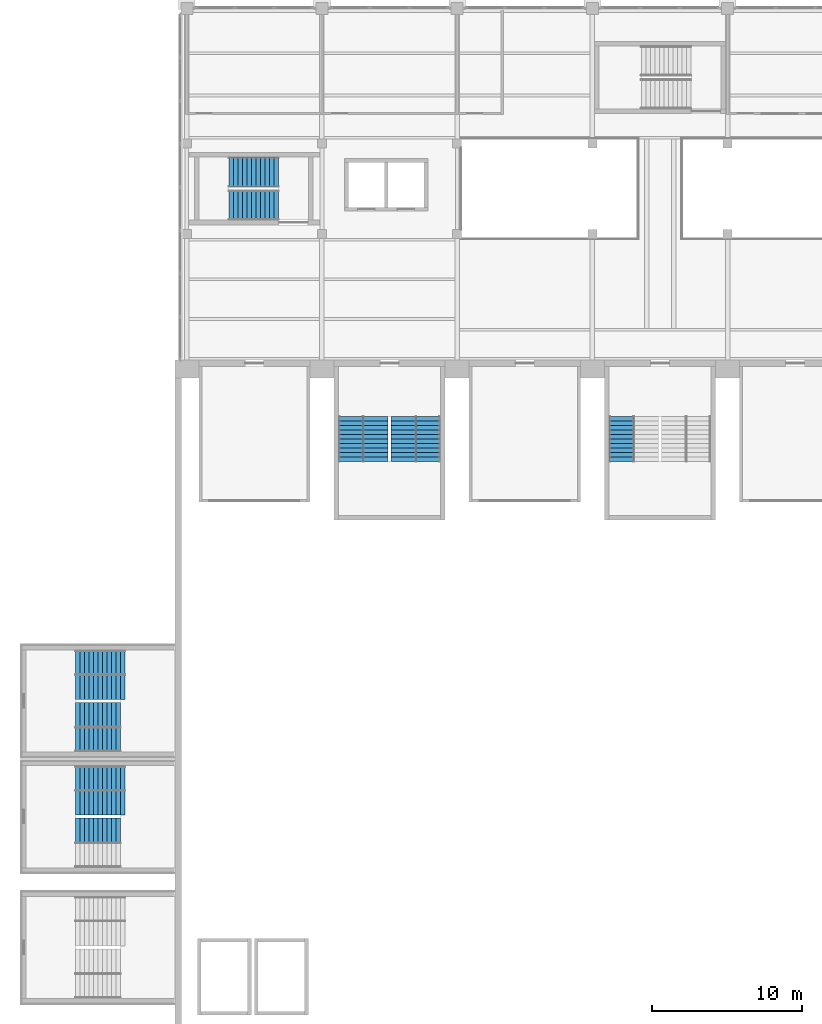
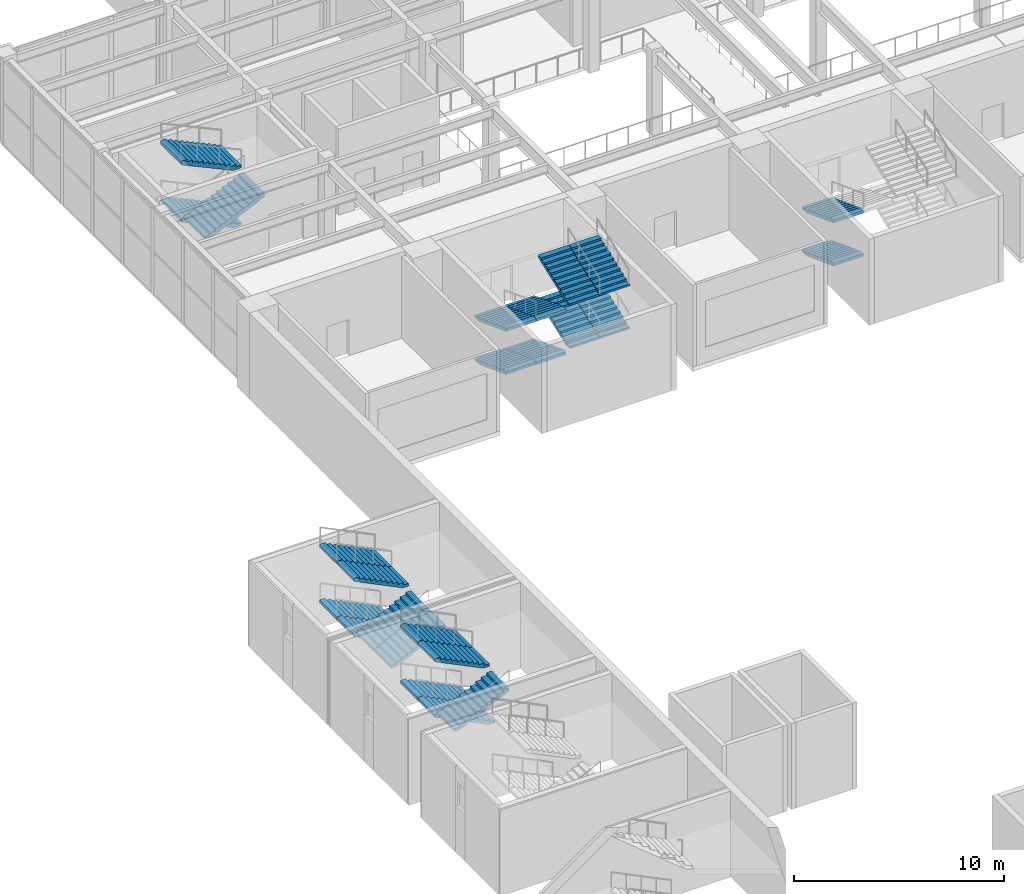
# One storey, part 49 of 67: 24 stair flights, 8 elements without a shape of their own.
"""IFC4 building model written with IfcOpenShell, lengths in metres."""

from ifc_helpers import new_model, si_unit, direction, frame, origin, place, context, subcontext, project, spatial, polyline, outline, extrude, material, type_object, element, aggregate, save


model = new_model("IFC4")

# Units and contexts
model_context = context("Model", 3, precision=1e-05, world=origin(), true_north=direction((0.0, 1.0)))
body_context = subcontext(model_context, "Body", "Model", "MODEL_VIEW")
ifc_project = project(units=[si_unit("LENGTHUNIT", "METRE"), si_unit("AREAUNIT", "SQUARE_METRE"), si_unit("VOLUMEUNIT", "CUBIC_METRE"), si_unit("PLANEANGLEUNIT", "RADIAN"), si_unit("MASSUNIT", "GRAM", prefix="KILO")], contexts=[model_context])

# Site, building, storey
site_placement = place(None, origin())
site = spatial("IfcSite", under=ifc_project, at=site_placement, CompositionType="ELEMENT")
building_placement = place(site_placement, origin())
building = spatial("IfcBuilding", under=site, at=building_placement, Name="Aravalli Gate Trade Fair Centre", CompositionType="ELEMENT")
storey_placement = place(building_placement, frame((0.0, 0.0, 5.0)))
storey = spatial("IfcBuildingStorey", under=building, at=storey_placement, Name="L01", CompositionType="ELEMENT", Elevation=5.0)

# Stair, stair flights
ifc_material_1 = material(Name="Concrete M30", Category="concrete")
stair_type_1 = type_object("IfcStairType", Name="Concourse stair, 2000 wide", PredefinedType="HALF_TURN_STAIR", material=ifc_material_1)
stair_1_placement = place(storey_placement, origin())
stair_1 = element("IfcStair", 1, at=stair_1_placement, inside=storey, type_object=stair_type_1, Name="Stair WS L01", PredefinedType="HALF_TURN_STAIR")
stair_flight_type_1 = type_object("IfcStairFlightType", Name="Concourse stair flight 2000", PredefinedType="STRAIGHT", material=ifc_material_1)
stair_flight_1_placement = place(storey_placement, frame((12.10009765625, 122.10009765625, 0.0), z_axis=(0.0, 0.0, 1.0), x_axis=(-1.0, 0.0, 0.0)))
stair_flight_1 = element("IfcStairFlight", 2, at=stair_flight_1_placement, type_object=stair_flight_type_1, Name="STWS-L01 flight 1", NumberOfRisers=12, NumberOfTreads=11, PredefinedType="STRAIGHT", RiserHeight=0.138888889, TreadLength=0.3, context=body_context, shape_type="SweptSolid", body=[
    extrude(outline(polyline([(0.0, 0.0), (0.0, 0.138916015625), (0.300048828125, 0.138916015625), (0.300048828125, 0.27783203125), (0.60009765625, 0.27783203125), (0.60009765625, 0.416748046875), (0.89990234375, 0.416748046875), (0.89990234375, 0.5556640625), (1.199951171875, 0.5556640625), (1.199951171875, 0.6943359375), (1.5, 0.6943359375), (1.5, 0.833251953125), (1.800048828125, 0.833251953125), (1.800048828125, 0.97216796875), (2.10009765625, 0.97216796875), (2.10009765625, 1.111083984375), (2.39990234375, 1.111083984375), (2.39990234375, 1.25), (2.699951171875, 1.25), (2.699951171875, 1.388916015625), (3.0, 1.388916015625), (3.0, 1.52783203125), (3.300048828125, 1.52783203125), (3.300048828125, 1.666748046875), (3.300048828125, 1.307373046875), (0.475830078125, 0.0), (0.0, 0.0)])), frame((0.0, 1.0, 0.0), z_axis=(0.0, -1.0, 0.0), x_axis=(1.0, 0.0, 0.0)), (0.0, 0.0, 1.0), 2.0),
])
stair_flight_2_placement = place(storey_placement, frame((8.800048828125, 119.89990234375, 1.666748046875), z_axis=(0.0, 0.0, 1.0), x_axis=(1.0, 0.0, 0.0)))
stair_flight_2 = element("IfcStairFlight", 3, at=stair_flight_2_placement, type_object=stair_flight_type_1, Name="STWS-L01 flight 2", NumberOfRisers=12, NumberOfTreads=11, PredefinedType="STRAIGHT", RiserHeight=0.138888889, TreadLength=0.3, context=body_context, shape_type="SweptSolid", body=[
    extrude(outline(polyline([(0.0, 0.0), (0.0, 0.138916015625), (0.300048828125, 0.138916015625), (0.300048828125, 0.27783203125), (0.60009765625, 0.27783203125), (0.60009765625, 0.416748046875), (0.89990234375, 0.416748046875), (0.89990234375, 0.5556640625), (1.199951171875, 0.5556640625), (1.199951171875, 0.6943359375), (1.5, 0.6943359375), (1.5, 0.833251953125), (1.800048828125, 0.833251953125), (1.800048828125, 0.97216796875), (2.10009765625, 0.97216796875), (2.10009765625, 1.111083984375), (2.39990234375, 1.111083984375), (2.39990234375, 1.25), (2.699951171875, 1.25), (2.699951171875, 1.388916015625), (3.0, 1.388916015625), (3.0, 1.52783203125), (3.300048828125, 1.52783203125), (3.300048828125, 1.666748046875), (3.300048828125, 1.307373046875), (0.475830078125, 0.0), (0.0, 0.0)])), frame((0.0, 1.0, 0.0), z_axis=(0.0, -1.0, 0.0), x_axis=(1.0, 0.0, 0.0)), (0.0, 0.0, 1.0), 2.0),
])
stair_flight_3_placement = place(storey_placement, frame((12.10009765625, 122.10009765625, 3.333251953125), z_axis=(0.0, 0.0, 1.0), x_axis=(-1.0, 0.0, 0.0)))
stair_flight_3 = element("IfcStairFlight", 4, at=stair_flight_3_placement, type_object=stair_flight_type_1, Name="STWS-L01 flight 3", NumberOfRisers=12, NumberOfTreads=11, PredefinedType="STRAIGHT", RiserHeight=0.138888889, TreadLength=0.3, context=body_context, shape_type="SweptSolid", body=[
    extrude(outline(polyline([(0.0, 0.0), (0.0, 0.138916015625), (0.300048828125, 0.138916015625), (0.300048828125, 0.27783203125), (0.60009765625, 0.27783203125), (0.60009765625, 0.416748046875), (0.89990234375, 0.416748046875), (0.89990234375, 0.5556640625), (1.199951171875, 0.5556640625), (1.199951171875, 0.6943359375), (1.5, 0.6943359375), (1.5, 0.833251953125), (1.800048828125, 0.833251953125), (1.800048828125, 0.97216796875), (2.10009765625, 0.97216796875), (2.10009765625, 1.111083984375), (2.39990234375, 1.111083984375), (2.39990234375, 1.25), (2.699951171875, 1.25), (2.699951171875, 1.388916015625), (3.0, 1.388916015625), (3.0, 1.52783203125), (3.300048828125, 1.52783203125), (3.300048828125, 1.666748046875), (3.300048828125, 1.307373046875), (0.475830078125, 0.0), (0.0, 0.0)])), frame((0.0, 1.0, 0.0), z_axis=(0.0, -1.0, 0.0), x_axis=(1.0, 0.0, 0.0)), (0.0, 0.0, 1.0), 2.0),
])
aggregate(stair_1, [stair_flight_1, stair_flight_2, stair_flight_3])

ifc_material_2 = material(Name="Concrete M40", Category="concrete")
stair_type_2 = type_object("IfcStairType", Name="Hall exit stair, three flights", PredefinedType="HALF_TURN_STAIR", material=ifc_material_2)
stair_2_placement = place(storey_placement, origin())
stair_2 = element("IfcStair", 5, at=stair_2_placement, inside=storey, type_object=stair_type_2, Name="Exit stair ST-W2 lane A L01", PredefinedType="HALF_TURN_STAIR")
stair_flight_type_2 = type_object("IfcStairFlightType", Name="Hall exit stair flight", PredefinedType="STRAIGHT", material=ifc_material_2)
stair_flight_4_placement = place(storey_placement, frame((1.89990234375, 80.1201171875, 0.0), z_axis=(0.0, 0.0, 1.0), x_axis=(-1.0, 0.0, 0.0)))
stair_flight_4 = element("IfcStairFlight", 6, at=stair_flight_4_placement, type_object=stair_flight_type_2, Name="ST-W2A flight 1", NumberOfRisers=12, NumberOfTreads=11, PredefinedType="STRAIGHT", RiserHeight=0.147058824, TreadLength=0.3, context=body_context, shape_type="SweptSolid", body=[
    extrude(outline(polyline([(0.0, 0.0), (0.0, 0.14697265625), (0.300048828125, 0.14697265625), (0.300048828125, 0.294189453125), (0.60009765625, 0.294189453125), (0.60009765625, 0.441162109375), (0.89990234375, 0.441162109375), (0.89990234375, 0.588134765625), (1.199951171875, 0.588134765625), (1.199951171875, 0.7353515625), (1.5, 0.7353515625), (1.5, 0.88232421875), (1.800048828125, 0.88232421875), (1.800048828125, 1.029296875), (2.10009765625, 1.029296875), (2.10009765625, 1.176513671875), (2.39990234375, 1.176513671875), (2.39990234375, 1.323486328125), (2.699951171875, 1.323486328125), (2.699951171875, 1.470703125), (3.0, 1.470703125), (3.0, 1.61767578125), (3.300048828125, 1.61767578125), (3.300048828125, 1.7646484375), (3.300048828125, 1.45068359375), (0.340576171875, 0.0), (0.0, 0.0)])), frame((0.0, 0.81982421875, 0.0), z_axis=(0.0, -1.0, 0.0), x_axis=(1.0, 0.0, 0.0)), (0.0, 0.0, 1.0), 1.639892578125),
])
stair_flight_5_placement = place(storey_placement, frame((1.60009765625, 80.1201171875, 3.38232421875), z_axis=(0.0, 0.0, 1.0), x_axis=(-1.0, 0.0, 0.0)))
stair_flight_5 = element("IfcStairFlight", 7, at=stair_flight_5_placement, type_object=stair_flight_type_2, Name="ST-W2A flight 3", NumberOfRisers=11, NumberOfTreads=10, PredefinedType="STRAIGHT", RiserHeight=0.147058824, TreadLength=0.3, context=body_context, shape_type="SweptSolid", body=[
    extrude(outline(polyline([(0.0, 0.0), (0.0, 0.14697265625), (0.300048828125, 0.14697265625), (0.300048828125, 0.294189453125), (0.60009765625, 0.294189453125), (0.60009765625, 0.441162109375), (0.89990234375, 0.441162109375), (0.89990234375, 0.588134765625), (1.199951171875, 0.588134765625), (1.199951171875, 0.7353515625), (1.5, 0.7353515625), (1.5, 0.88232421875), (1.800048828125, 0.88232421875), (1.800048828125, 1.029296875), (2.10009765625, 1.029296875), (2.10009765625, 1.176513671875), (2.39990234375, 1.176513671875), (2.39990234375, 1.323486328125), (2.699951171875, 1.323486328125), (2.699951171875, 1.470703125), (3.0, 1.470703125), (3.0, 1.61767578125), (3.0, 1.3037109375), (0.340576171875, 0.0), (0.0, 0.0)])), frame((0.0, 0.81982421875, 0.0), z_axis=(0.0, -1.0, 0.0), x_axis=(1.0, 0.0, 0.0)), (0.0, 0.0, 1.0), 1.639892578125),
])
aggregate(stair_2, [stair_flight_4, stair_flight_5])

stair_3_placement = place(storey_placement, origin())
stair_3 = element("IfcStair", 8, at=stair_3_placement, inside=storey, type_object=stair_type_2, Name="Exit stair ST-W2 lane B L01", PredefinedType="HALF_TURN_STAIR")
stair_flight_6_placement = place(storey_placement, frame((1.89990234375, 81.780029296875, 0.0), z_axis=(0.0, 0.0, 1.0), x_axis=(-1.0, 0.0, 0.0)))
stair_flight_6 = element("IfcStairFlight", 9, at=stair_flight_6_placement, type_object=stair_flight_type_2, Name="ST-W2B flight 1", NumberOfRisers=12, NumberOfTreads=11, PredefinedType="STRAIGHT", RiserHeight=0.147058824, TreadLength=0.3, context=body_context, shape_type="SweptSolid", body=[
    extrude(outline(polyline([(0.0, 0.0), (0.0, 0.14697265625), (0.300048828125, 0.14697265625), (0.300048828125, 0.294189453125), (0.60009765625, 0.294189453125), (0.60009765625, 0.441162109375), (0.89990234375, 0.441162109375), (0.89990234375, 0.588134765625), (1.199951171875, 0.588134765625), (1.199951171875, 0.7353515625), (1.5, 0.7353515625), (1.5, 0.88232421875), (1.800048828125, 0.88232421875), (1.800048828125, 1.029296875), (2.10009765625, 1.029296875), (2.10009765625, 1.176513671875), (2.39990234375, 1.176513671875), (2.39990234375, 1.323486328125), (2.699951171875, 1.323486328125), (2.699951171875, 1.470703125), (3.0, 1.470703125), (3.0, 1.61767578125), (3.300048828125, 1.61767578125), (3.300048828125, 1.7646484375), (3.300048828125, 1.45068359375), (0.340576171875, 0.0), (0.0, 0.0)])), frame((0.0, 0.81982421875, 0.0), z_axis=(0.0, -1.0, 0.0), x_axis=(1.0, 0.0, 0.0)), (0.0, 0.0, 1.0), 1.639892578125),
])
stair_flight_7_placement = place(storey_placement, frame((-1.39990234375, 78.280029296875, 1.7646484375), z_axis=(0.0, 0.0, 1.0), x_axis=(1.0, 0.0, 0.0)))
stair_flight_7 = element("IfcStairFlight", 10, at=stair_flight_7_placement, type_object=stair_flight_type_2, Name="ST-W2B flight 2", NumberOfRisers=11, NumberOfTreads=10, PredefinedType="STRAIGHT", RiserHeight=0.147058824, TreadLength=0.3, context=body_context, shape_type="SweptSolid", body=[
    extrude(outline(polyline([(0.0, 0.0), (0.0, 0.14697265625), (0.300048828125, 0.14697265625), (0.300048828125, 0.294189453125), (0.60009765625, 0.294189453125), (0.60009765625, 0.441162109375), (0.89990234375, 0.441162109375), (0.89990234375, 0.588134765625), (1.199951171875, 0.588134765625), (1.199951171875, 0.7353515625), (1.5, 0.7353515625), (1.5, 0.88232421875), (1.800048828125, 0.88232421875), (1.800048828125, 1.029296875), (2.10009765625, 1.029296875), (2.10009765625, 1.176513671875), (2.39990234375, 1.176513671875), (2.39990234375, 1.323486328125), (2.699951171875, 1.323486328125), (2.699951171875, 1.470703125), (3.0, 1.470703125), (3.0, 1.61767578125), (3.0, 1.3037109375), (0.340576171875, 0.0), (0.0, 0.0)])), frame((0.0, 0.81982421875, 0.0), z_axis=(0.0, -1.0, 0.0), x_axis=(1.0, 0.0, 0.0)), (0.0, 0.0, 1.0), 1.639892578125),
])
stair_flight_8_placement = place(storey_placement, frame((1.60009765625, 81.780029296875, 3.38232421875), z_axis=(0.0, 0.0, 1.0), x_axis=(-1.0, 0.0, 0.0)))
stair_flight_8 = element("IfcStairFlight", 11, at=stair_flight_8_placement, type_object=stair_flight_type_2, Name="ST-W2B flight 3", NumberOfRisers=11, NumberOfTreads=10, PredefinedType="STRAIGHT", RiserHeight=0.147058824, TreadLength=0.3, context=body_context, shape_type="SweptSolid", body=[
    extrude(outline(polyline([(0.0, 0.0), (0.0, 0.14697265625), (0.300048828125, 0.14697265625), (0.300048828125, 0.294189453125), (0.60009765625, 0.294189453125), (0.60009765625, 0.441162109375), (0.89990234375, 0.441162109375), (0.89990234375, 0.588134765625), (1.199951171875, 0.588134765625), (1.199951171875, 0.7353515625), (1.5, 0.7353515625), (1.5, 0.88232421875), (1.800048828125, 0.88232421875), (1.800048828125, 1.029296875), (2.10009765625, 1.029296875), (2.10009765625, 1.176513671875), (2.39990234375, 1.176513671875), (2.39990234375, 1.323486328125), (2.699951171875, 1.323486328125), (2.699951171875, 1.470703125), (3.0, 1.470703125), (3.0, 1.61767578125), (3.0, 1.3037109375), (0.340576171875, 0.0), (0.0, 0.0)])), frame((0.0, 0.81982421875, 0.0), z_axis=(0.0, -1.0, 0.0), x_axis=(1.0, 0.0, 0.0)), (0.0, 0.0, 1.0), 1.639892578125),
])
aggregate(stair_3, [stair_flight_6, stair_flight_7, stair_flight_8])

stair_4_placement = place(storey_placement, origin())
stair_4 = element("IfcStair", 12, at=stair_4_placement, inside=storey, type_object=stair_type_2, Name="Exit stair ST-W5 lane A L01", PredefinedType="HALF_TURN_STAIR")
stair_flight_9_placement = place(storey_placement, frame((1.89990234375, 87.820068359375, 0.0), z_axis=(0.0, 0.0, 1.0), x_axis=(-1.0, 0.0, 0.0)))
stair_flight_9 = element("IfcStairFlight", 13, at=stair_flight_9_placement, type_object=stair_flight_type_2, Name="ST-W5A flight 1", NumberOfRisers=12, NumberOfTreads=11, PredefinedType="STRAIGHT", RiserHeight=0.147058824, TreadLength=0.3, context=body_context, shape_type="SweptSolid", body=[
    extrude(outline(polyline([(0.0, 0.0), (0.0, 0.14697265625), (0.300048828125, 0.14697265625), (0.300048828125, 0.294189453125), (0.60009765625, 0.294189453125), (0.60009765625, 0.441162109375), (0.89990234375, 0.441162109375), (0.89990234375, 0.588134765625), (1.199951171875, 0.588134765625), (1.199951171875, 0.7353515625), (1.5, 0.7353515625), (1.5, 0.88232421875), (1.800048828125, 0.88232421875), (1.800048828125, 1.029296875), (2.10009765625, 1.029296875), (2.10009765625, 1.176513671875), (2.39990234375, 1.176513671875), (2.39990234375, 1.323486328125), (2.699951171875, 1.323486328125), (2.699951171875, 1.470703125), (3.0, 1.470703125), (3.0, 1.61767578125), (3.300048828125, 1.61767578125), (3.300048828125, 1.7646484375), (3.300048828125, 1.45068359375), (0.340576171875, 0.0), (0.0, 0.0)])), frame((0.0, 0.81982421875, 0.0), z_axis=(0.0, -1.0, 0.0), x_axis=(1.0, 0.0, 0.0)), (0.0, 0.0, 1.0), 1.639892578125),
])
stair_flight_10_placement = place(storey_placement, frame((-1.39990234375, 84.320068359375, 1.7646484375), z_axis=(0.0, 0.0, 1.0), x_axis=(1.0, 0.0, 0.0)))
stair_flight_10 = element("IfcStairFlight", 14, at=stair_flight_10_placement, type_object=stair_flight_type_2, Name="ST-W5A flight 2", NumberOfRisers=11, NumberOfTreads=10, PredefinedType="STRAIGHT", RiserHeight=0.147058824, TreadLength=0.3, context=body_context, shape_type="SweptSolid", body=[
    extrude(outline(polyline([(0.0, 0.0), (0.0, 0.14697265625), (0.300048828125, 0.14697265625), (0.300048828125, 0.294189453125), (0.60009765625, 0.294189453125), (0.60009765625, 0.441162109375), (0.89990234375, 0.441162109375), (0.89990234375, 0.588134765625), (1.199951171875, 0.588134765625), (1.199951171875, 0.7353515625), (1.5, 0.7353515625), (1.5, 0.88232421875), (1.800048828125, 0.88232421875), (1.800048828125, 1.029296875), (2.10009765625, 1.029296875), (2.10009765625, 1.176513671875), (2.39990234375, 1.176513671875), (2.39990234375, 1.323486328125), (2.699951171875, 1.323486328125), (2.699951171875, 1.470703125), (3.0, 1.470703125), (3.0, 1.61767578125), (3.0, 1.3037109375), (0.340576171875, 0.0), (0.0, 0.0)])), frame((0.0, 0.81982421875, 0.0), z_axis=(0.0, -1.0, 0.0), x_axis=(1.0, 0.0, 0.0)), (0.0, 0.0, 1.0), 1.639892578125),
])
stair_flight_11_placement = place(storey_placement, frame((1.60009765625, 87.820068359375, 3.38232421875), z_axis=(0.0, 0.0, 1.0), x_axis=(-1.0, 0.0, 0.0)))
stair_flight_11 = element("IfcStairFlight", 15, at=stair_flight_11_placement, type_object=stair_flight_type_2, Name="ST-W5A flight 3", NumberOfRisers=11, NumberOfTreads=10, PredefinedType="STRAIGHT", RiserHeight=0.147058824, TreadLength=0.3, context=body_context, shape_type="SweptSolid", body=[
    extrude(outline(polyline([(0.0, 0.0), (0.0, 0.14697265625), (0.300048828125, 0.14697265625), (0.300048828125, 0.294189453125), (0.60009765625, 0.294189453125), (0.60009765625, 0.441162109375), (0.89990234375, 0.441162109375), (0.89990234375, 0.588134765625), (1.199951171875, 0.588134765625), (1.199951171875, 0.7353515625), (1.5, 0.7353515625), (1.5, 0.88232421875), (1.800048828125, 0.88232421875), (1.800048828125, 1.029296875), (2.10009765625, 1.029296875), (2.10009765625, 1.176513671875), (2.39990234375, 1.176513671875), (2.39990234375, 1.323486328125), (2.699951171875, 1.323486328125), (2.699951171875, 1.470703125), (3.0, 1.470703125), (3.0, 1.61767578125), (3.0, 1.3037109375), (0.340576171875, 0.0), (0.0, 0.0)])), frame((0.0, 0.81982421875, 0.0), z_axis=(0.0, -1.0, 0.0), x_axis=(1.0, 0.0, 0.0)), (0.0, 0.0, 1.0), 1.639892578125),
])
aggregate(stair_4, [stair_flight_9, stair_flight_10, stair_flight_11])

stair_5_placement = place(storey_placement, origin())
stair_5 = element("IfcStair", 16, at=stair_5_placement, inside=storey, type_object=stair_type_2, Name="Exit stair ST-W5 lane B L01", PredefinedType="HALF_TURN_STAIR")
stair_flight_12_placement = place(storey_placement, frame((1.89990234375, 89.47998046875, 0.0), z_axis=(0.0, 0.0, 1.0), x_axis=(-1.0, 0.0, 0.0)))
stair_flight_12 = element("IfcStairFlight", 17, at=stair_flight_12_placement, type_object=stair_flight_type_2, Name="ST-W5B flight 1", NumberOfRisers=12, NumberOfTreads=11, PredefinedType="STRAIGHT", RiserHeight=0.147058824, TreadLength=0.3, context=body_context, shape_type="SweptSolid", body=[
    extrude(outline(polyline([(0.0, 0.0), (0.0, 0.14697265625), (0.300048828125, 0.14697265625), (0.300048828125, 0.294189453125), (0.60009765625, 0.294189453125), (0.60009765625, 0.441162109375), (0.89990234375, 0.441162109375), (0.89990234375, 0.588134765625), (1.199951171875, 0.588134765625), (1.199951171875, 0.7353515625), (1.5, 0.7353515625), (1.5, 0.88232421875), (1.800048828125, 0.88232421875), (1.800048828125, 1.029296875), (2.10009765625, 1.029296875), (2.10009765625, 1.176513671875), (2.39990234375, 1.176513671875), (2.39990234375, 1.323486328125), (2.699951171875, 1.323486328125), (2.699951171875, 1.470703125), (3.0, 1.470703125), (3.0, 1.61767578125), (3.300048828125, 1.61767578125), (3.300048828125, 1.7646484375), (3.300048828125, 1.45068359375), (0.340576171875, 0.0), (0.0, 0.0)])), frame((0.0, 0.81982421875, 0.0), z_axis=(0.0, -1.0, 0.0), x_axis=(1.0, 0.0, 0.0)), (0.0, 0.0, 1.0), 1.639892578125),
])
stair_flight_13_placement = place(storey_placement, frame((-1.39990234375, 85.97998046875, 1.7646484375), z_axis=(0.0, 0.0, 1.0), x_axis=(1.0, 0.0, 0.0)))
stair_flight_13 = element("IfcStairFlight", 18, at=stair_flight_13_placement, type_object=stair_flight_type_2, Name="ST-W5B flight 2", NumberOfRisers=11, NumberOfTreads=10, PredefinedType="STRAIGHT", RiserHeight=0.147058824, TreadLength=0.3, context=body_context, shape_type="SweptSolid", body=[
    extrude(outline(polyline([(0.0, 0.0), (0.0, 0.14697265625), (0.300048828125, 0.14697265625), (0.300048828125, 0.294189453125), (0.60009765625, 0.294189453125), (0.60009765625, 0.441162109375), (0.89990234375, 0.441162109375), (0.89990234375, 0.588134765625), (1.199951171875, 0.588134765625), (1.199951171875, 0.7353515625), (1.5, 0.7353515625), (1.5, 0.88232421875), (1.800048828125, 0.88232421875), (1.800048828125, 1.029296875), (2.10009765625, 1.029296875), (2.10009765625, 1.176513671875), (2.39990234375, 1.176513671875), (2.39990234375, 1.323486328125), (2.699951171875, 1.323486328125), (2.699951171875, 1.470703125), (3.0, 1.470703125), (3.0, 1.61767578125), (3.0, 1.3037109375), (0.340576171875, 0.0), (0.0, 0.0)])), frame((0.0, 0.81982421875, 0.0), z_axis=(0.0, -1.0, 0.0), x_axis=(1.0, 0.0, 0.0)), (0.0, 0.0, 1.0), 1.639892578125),
])
stair_flight_14_placement = place(storey_placement, frame((1.60009765625, 89.47998046875, 3.38232421875), z_axis=(0.0, 0.0, 1.0), x_axis=(-1.0, 0.0, 0.0)))
stair_flight_14 = element("IfcStairFlight", 19, at=stair_flight_14_placement, type_object=stair_flight_type_2, Name="ST-W5B flight 3", NumberOfRisers=11, NumberOfTreads=10, PredefinedType="STRAIGHT", RiserHeight=0.147058824, TreadLength=0.3, context=body_context, shape_type="SweptSolid", body=[
    extrude(outline(polyline([(0.0, 0.0), (0.0, 0.14697265625), (0.300048828125, 0.14697265625), (0.300048828125, 0.294189453125), (0.60009765625, 0.294189453125), (0.60009765625, 0.441162109375), (0.89990234375, 0.441162109375), (0.89990234375, 0.588134765625), (1.199951171875, 0.588134765625), (1.199951171875, 0.7353515625), (1.5, 0.7353515625), (1.5, 0.88232421875), (1.800048828125, 0.88232421875), (1.800048828125, 1.029296875), (2.10009765625, 1.029296875), (2.10009765625, 1.176513671875), (2.39990234375, 1.176513671875), (2.39990234375, 1.323486328125), (2.699951171875, 1.323486328125), (2.699951171875, 1.470703125), (3.0, 1.470703125), (3.0, 1.61767578125), (3.0, 1.3037109375), (0.340576171875, 0.0), (0.0, 0.0)])), frame((0.0, 0.81982421875, 0.0), z_axis=(0.0, -1.0, 0.0), x_axis=(1.0, 0.0, 0.0)), (0.0, 0.0, 1.0), 1.639892578125),
])
aggregate(stair_5, [stair_flight_12, stair_flight_13, stair_flight_14])

stair_type_3 = type_object("IfcStairType", Name="Hall exit stair, four flights", PredefinedType="HALF_TURN_STAIR", material=ifc_material_2)
stair_6_placement = place(storey_placement, origin())
stair_6 = element("IfcStair", 20, at=stair_6_placement, inside=storey, type_object=stair_type_3, Name="Exit stair ST-N02 lane A L01", PredefinedType="HALF_TURN_STAIR")
stair_flight_type_3 = type_object("IfcStairFlightType", Name="Hall exit stair flight, four flights", PredefinedType="STRAIGHT", material=ifc_material_2)
stair_flight_15_placement = place(storey_placement, frame((16.919921875, 105.85009765625, 0.0), z_axis=(0.0, 0.0, 1.0), x_axis=(0.0, -1.0, 0.0)))
stair_flight_15 = element("IfcStairFlight", 21, at=stair_flight_15_placement, type_object=stair_flight_type_3, Name="ST-N02A flight 1", NumberOfRisers=11, NumberOfTreads=10, PredefinedType="STRAIGHT", RiserHeight=0.113636364, TreadLength=0.3, context=body_context, shape_type="SweptSolid", body=[
    extrude(outline(polyline([(0.0, 0.0), (0.0, 0.113525390625), (0.300048828125, 0.113525390625), (0.300048828125, 0.227294921875), (0.60009765625, 0.227294921875), (0.60009765625, 0.3408203125), (0.89990234375, 0.3408203125), (0.89990234375, 0.45458984375), (1.199951171875, 0.45458984375), (1.199951171875, 0.568115234375), (1.5, 0.568115234375), (1.5, 0.681884765625), (1.800048828125, 0.681884765625), (1.800048828125, 0.79541015625), (2.10009765625, 0.79541015625), (2.10009765625, 0.9091796875), (2.39990234375, 0.9091796875), (2.39990234375, 1.022705078125), (2.699951171875, 1.022705078125), (2.699951171875, 1.136474609375), (3.0, 1.136474609375), (3.0, 1.25), (3.0, 0.97607421875), (0.423095703125, 0.0), (0.0, 0.0)])), frame((0.0, 0.81982421875, 0.0), z_axis=(0.0, -1.0, 0.0), x_axis=(1.0, 0.0, 0.0)), (0.0, 0.0, 1.0), 1.639892578125),
])
stair_flight_16_placement = place(storey_placement, frame((20.419921875, 102.85009765625, 1.25), z_axis=(0.0, 0.0, 1.0), x_axis=(0.0, 1.0, 0.0)))
stair_flight_16 = element("IfcStairFlight", 22, at=stair_flight_16_placement, type_object=stair_flight_type_3, Name="ST-N02A flight 2", NumberOfRisers=11, NumberOfTreads=10, PredefinedType="STRAIGHT", RiserHeight=0.113636364, TreadLength=0.3, context=body_context, shape_type="SweptSolid", body=[
    extrude(outline(polyline([(0.0, 0.0), (0.0, 0.113525390625), (0.300048828125, 0.113525390625), (0.300048828125, 0.227294921875), (0.60009765625, 0.227294921875), (0.60009765625, 0.3408203125), (0.89990234375, 0.3408203125), (0.89990234375, 0.45458984375), (1.199951171875, 0.45458984375), (1.199951171875, 0.568115234375), (1.5, 0.568115234375), (1.5, 0.681884765625), (1.800048828125, 0.681884765625), (1.800048828125, 0.79541015625), (2.10009765625, 0.79541015625), (2.10009765625, 0.9091796875), (2.39990234375, 0.9091796875), (2.39990234375, 1.022705078125), (2.699951171875, 1.022705078125), (2.699951171875, 1.136474609375), (3.0, 1.136474609375), (3.0, 1.25), (3.0, 0.97607421875), (0.423095703125, 0.0), (0.0, 0.0)])), frame((0.0, 0.81982421875, 0.0), z_axis=(0.0, -1.0, 0.0), x_axis=(1.0, 0.0, 0.0)), (0.0, 0.0, 1.0), 1.639892578125),
])
stair_flight_17_placement = place(storey_placement, frame((16.919921875, 105.85009765625, 2.5), z_axis=(0.0, 0.0, 1.0), x_axis=(0.0, -1.0, 0.0)))
stair_flight_17 = element("IfcStairFlight", 23, at=stair_flight_17_placement, type_object=stair_flight_type_3, Name="ST-N02A flight 3", NumberOfRisers=11, NumberOfTreads=10, PredefinedType="STRAIGHT", RiserHeight=0.113636364, TreadLength=0.3, context=body_context, shape_type="SweptSolid", body=[
    extrude(outline(polyline([(0.0, 0.0), (0.0, 0.113525390625), (0.300048828125, 0.113525390625), (0.300048828125, 0.227294921875), (0.60009765625, 0.227294921875), (0.60009765625, 0.3408203125), (0.89990234375, 0.3408203125), (0.89990234375, 0.45458984375), (1.199951171875, 0.45458984375), (1.199951171875, 0.568115234375), (1.5, 0.568115234375), (1.5, 0.681884765625), (1.800048828125, 0.681884765625), (1.800048828125, 0.79541015625), (2.10009765625, 0.79541015625), (2.10009765625, 0.9091796875), (2.39990234375, 0.9091796875), (2.39990234375, 1.022705078125), (2.699951171875, 1.022705078125), (2.699951171875, 1.136474609375), (3.0, 1.136474609375), (3.0, 1.25), (3.0, 0.97607421875), (0.423095703125, 0.0), (0.0, 0.0)])), frame((0.0, 0.81982421875, 0.0), z_axis=(0.0, -1.0, 0.0), x_axis=(1.0, 0.0, 0.0)), (0.0, 0.0, 1.0), 1.639892578125),
])
stair_flight_18_placement = place(storey_placement, frame((20.419921875, 102.85009765625, 3.75), z_axis=(0.0, 0.0, 1.0), x_axis=(0.0, 1.0, 0.0)))
stair_flight_18 = element("IfcStairFlight", 24, at=stair_flight_18_placement, type_object=stair_flight_type_3, Name="ST-N02A flight 4", NumberOfRisers=11, NumberOfTreads=10, PredefinedType="STRAIGHT", RiserHeight=0.113636364, TreadLength=0.3, context=body_context, shape_type="SweptSolid", body=[
    extrude(outline(polyline([(0.0, 0.0), (0.0, 0.113525390625), (0.300048828125, 0.113525390625), (0.300048828125, 0.227294921875), (0.60009765625, 0.227294921875), (0.60009765625, 0.3408203125), (0.89990234375, 0.3408203125), (0.89990234375, 0.45458984375), (1.199951171875, 0.45458984375), (1.199951171875, 0.568115234375), (1.5, 0.568115234375), (1.5, 0.681884765625), (1.800048828125, 0.681884765625), (1.800048828125, 0.79541015625), (2.10009765625, 0.79541015625), (2.10009765625, 0.9091796875), (2.39990234375, 0.9091796875), (2.39990234375, 1.022705078125), (2.699951171875, 1.022705078125), (2.699951171875, 1.136474609375), (3.0, 1.136474609375), (3.0, 1.25), (3.0, 0.97607421875), (0.423095703125, 0.0), (0.0, 0.0)])), frame((0.0, 0.81982421875, 0.0), z_axis=(0.0, -1.0, 0.0), x_axis=(1.0, 0.0, 0.0)), (0.0, 0.0, 1.0), 1.639892578125),
])
aggregate(stair_6, [stair_flight_15, stair_flight_16, stair_flight_17, stair_flight_18])

stair_7_placement = place(storey_placement, origin())
stair_7 = element("IfcStair", 25, at=stair_7_placement, inside=storey, type_object=stair_type_3, Name="Exit stair ST-N02 lane B L01", PredefinedType="HALF_TURN_STAIR")
stair_flight_19_placement = place(storey_placement, frame((18.580078125, 105.85009765625, 0.0), z_axis=(0.0, 0.0, 1.0), x_axis=(0.0, -1.0, 0.0)))
stair_flight_19 = element("IfcStairFlight", 26, at=stair_flight_19_placement, type_object=stair_flight_type_3, Name="ST-N02B flight 1", NumberOfRisers=11, NumberOfTreads=10, PredefinedType="STRAIGHT", RiserHeight=0.113636364, TreadLength=0.3, context=body_context, shape_type="SweptSolid", body=[
    extrude(outline(polyline([(0.0, 0.0), (0.0, 0.113525390625), (0.300048828125, 0.113525390625), (0.300048828125, 0.227294921875), (0.60009765625, 0.227294921875), (0.60009765625, 0.3408203125), (0.89990234375, 0.3408203125), (0.89990234375, 0.45458984375), (1.199951171875, 0.45458984375), (1.199951171875, 0.568115234375), (1.5, 0.568115234375), (1.5, 0.681884765625), (1.800048828125, 0.681884765625), (1.800048828125, 0.79541015625), (2.10009765625, 0.79541015625), (2.10009765625, 0.9091796875), (2.39990234375, 0.9091796875), (2.39990234375, 1.022705078125), (2.699951171875, 1.022705078125), (2.699951171875, 1.136474609375), (3.0, 1.136474609375), (3.0, 1.25), (3.0, 0.97607421875), (0.423095703125, 0.0), (0.0, 0.0)])), frame((0.0, 0.81982421875, 0.0), z_axis=(0.0, -1.0, 0.0), x_axis=(1.0, 0.0, 0.0)), (0.0, 0.0, 1.0), 1.639892578125),
])
stair_flight_20_placement = place(storey_placement, frame((22.080078125, 102.85009765625, 1.25), z_axis=(0.0, 0.0, 1.0), x_axis=(0.0, 1.0, 0.0)))
stair_flight_20 = element("IfcStairFlight", 27, at=stair_flight_20_placement, type_object=stair_flight_type_3, Name="ST-N02B flight 2", NumberOfRisers=11, NumberOfTreads=10, PredefinedType="STRAIGHT", RiserHeight=0.113636364, TreadLength=0.3, context=body_context, shape_type="SweptSolid", body=[
    extrude(outline(polyline([(0.0, 0.0), (0.0, 0.113525390625), (0.300048828125, 0.113525390625), (0.300048828125, 0.227294921875), (0.60009765625, 0.227294921875), (0.60009765625, 0.3408203125), (0.89990234375, 0.3408203125), (0.89990234375, 0.45458984375), (1.199951171875, 0.45458984375), (1.199951171875, 0.568115234375), (1.5, 0.568115234375), (1.5, 0.681884765625), (1.800048828125, 0.681884765625), (1.800048828125, 0.79541015625), (2.10009765625, 0.79541015625), (2.10009765625, 0.9091796875), (2.39990234375, 0.9091796875), (2.39990234375, 1.022705078125), (2.699951171875, 1.022705078125), (2.699951171875, 1.136474609375), (3.0, 1.136474609375), (3.0, 1.25), (3.0, 0.97607421875), (0.423095703125, 0.0), (0.0, 0.0)])), frame((0.0, 0.81982421875, 0.0), z_axis=(0.0, -1.0, 0.0), x_axis=(1.0, 0.0, 0.0)), (0.0, 0.0, 1.0), 1.639892578125),
])
stair_flight_21_placement = place(storey_placement, frame((18.580078125, 105.85009765625, 2.5), z_axis=(0.0, 0.0, 1.0), x_axis=(0.0, -1.0, 0.0)))
stair_flight_21 = element("IfcStairFlight", 28, at=stair_flight_21_placement, type_object=stair_flight_type_3, Name="ST-N02B flight 3", NumberOfRisers=11, NumberOfTreads=10, PredefinedType="STRAIGHT", RiserHeight=0.113636364, TreadLength=0.3, context=body_context, shape_type="SweptSolid", body=[
    extrude(outline(polyline([(0.0, 0.0), (0.0, 0.113525390625), (0.300048828125, 0.113525390625), (0.300048828125, 0.227294921875), (0.60009765625, 0.227294921875), (0.60009765625, 0.3408203125), (0.89990234375, 0.3408203125), (0.89990234375, 0.45458984375), (1.199951171875, 0.45458984375), (1.199951171875, 0.568115234375), (1.5, 0.568115234375), (1.5, 0.681884765625), (1.800048828125, 0.681884765625), (1.800048828125, 0.79541015625), (2.10009765625, 0.79541015625), (2.10009765625, 0.9091796875), (2.39990234375, 0.9091796875), (2.39990234375, 1.022705078125), (2.699951171875, 1.022705078125), (2.699951171875, 1.136474609375), (3.0, 1.136474609375), (3.0, 1.25), (3.0, 0.97607421875), (0.423095703125, 0.0), (0.0, 0.0)])), frame((0.0, 0.81982421875, 0.0), z_axis=(0.0, -1.0, 0.0), x_axis=(1.0, 0.0, 0.0)), (0.0, 0.0, 1.0), 1.639892578125),
])
stair_flight_22_placement = place(storey_placement, frame((22.080078125, 102.85009765625, 3.75), z_axis=(0.0, 0.0, 1.0), x_axis=(0.0, 1.0, 0.0)))
stair_flight_22 = element("IfcStairFlight", 29, at=stair_flight_22_placement, type_object=stair_flight_type_3, Name="ST-N02B flight 4", NumberOfRisers=11, NumberOfTreads=10, PredefinedType="STRAIGHT", RiserHeight=0.113636364, TreadLength=0.3, context=body_context, shape_type="SweptSolid", body=[
    extrude(outline(polyline([(0.0, 0.0), (0.0, 0.113525390625), (0.300048828125, 0.113525390625), (0.300048828125, 0.227294921875), (0.60009765625, 0.227294921875), (0.60009765625, 0.3408203125), (0.89990234375, 0.3408203125), (0.89990234375, 0.45458984375), (1.199951171875, 0.45458984375), (1.199951171875, 0.568115234375), (1.5, 0.568115234375), (1.5, 0.681884765625), (1.800048828125, 0.681884765625), (1.800048828125, 0.79541015625), (2.10009765625, 0.79541015625), (2.10009765625, 0.9091796875), (2.39990234375, 0.9091796875), (2.39990234375, 1.022705078125), (2.699951171875, 1.022705078125), (2.699951171875, 1.136474609375), (3.0, 1.136474609375), (3.0, 1.25), (3.0, 0.97607421875), (0.423095703125, 0.0), (0.0, 0.0)])), frame((0.0, 0.81982421875, 0.0), z_axis=(0.0, -1.0, 0.0), x_axis=(1.0, 0.0, 0.0)), (0.0, 0.0, 1.0), 1.639892578125),
])
aggregate(stair_7, [stair_flight_19, stair_flight_20, stair_flight_21, stair_flight_22])

stair_8_placement = place(storey_placement, origin())
stair_8 = element("IfcStair", 30, at=stair_8_placement, inside=storey, type_object=stair_type_3, Name="Exit stair ST-N04 lane A L01", PredefinedType="HALF_TURN_STAIR")
stair_flight_23_placement = place(storey_placement, frame((34.919921875, 105.85009765625, 0.0), z_axis=(0.0, 0.0, 1.0), x_axis=(0.0, -1.0, 0.0)))
stair_flight_23 = element("IfcStairFlight", 31, at=stair_flight_23_placement, type_object=stair_flight_type_3, Name="ST-N04A flight 1", NumberOfRisers=11, NumberOfTreads=10, PredefinedType="STRAIGHT", RiserHeight=0.113636364, TreadLength=0.3, context=body_context, shape_type="SweptSolid", body=[
    extrude(outline(polyline([(0.0, 0.0), (0.0, 0.113525390625), (0.300048828125, 0.113525390625), (0.300048828125, 0.227294921875), (0.60009765625, 0.227294921875), (0.60009765625, 0.3408203125), (0.89990234375, 0.3408203125), (0.89990234375, 0.45458984375), (1.199951171875, 0.45458984375), (1.199951171875, 0.568115234375), (1.5, 0.568115234375), (1.5, 0.681884765625), (1.800048828125, 0.681884765625), (1.800048828125, 0.79541015625), (2.10009765625, 0.79541015625), (2.10009765625, 0.9091796875), (2.39990234375, 0.9091796875), (2.39990234375, 1.022705078125), (2.699951171875, 1.022705078125), (2.699951171875, 1.136474609375), (3.0, 1.136474609375), (3.0, 1.25), (3.0, 0.97607421875), (0.423095703125, 0.0), (0.0, 0.0)])), frame((0.0, 0.81982421875, 0.0), z_axis=(0.0, -1.0, 0.0), x_axis=(1.0, 0.0, 0.0)), (0.0, 0.0, 1.0), 1.639892578125),
])
stair_flight_24_placement = place(storey_placement, frame((34.919921875, 105.85009765625, 2.5), z_axis=(0.0, 0.0, 1.0), x_axis=(0.0, -1.0, 0.0)))
stair_flight_24 = element("IfcStairFlight", 32, at=stair_flight_24_placement, type_object=stair_flight_type_3, Name="ST-N04A flight 3", NumberOfRisers=11, NumberOfTreads=10, PredefinedType="STRAIGHT", RiserHeight=0.113636364, TreadLength=0.3, context=body_context, shape_type="SweptSolid", body=[
    extrude(outline(polyline([(0.0, 0.0), (0.0, 0.113525390625), (0.300048828125, 0.113525390625), (0.300048828125, 0.227294921875), (0.60009765625, 0.227294921875), (0.60009765625, 0.3408203125), (0.89990234375, 0.3408203125), (0.89990234375, 0.45458984375), (1.199951171875, 0.45458984375), (1.199951171875, 0.568115234375), (1.5, 0.568115234375), (1.5, 0.681884765625), (1.800048828125, 0.681884765625), (1.800048828125, 0.79541015625), (2.10009765625, 0.79541015625), (2.10009765625, 0.9091796875), (2.39990234375, 0.9091796875), (2.39990234375, 1.022705078125), (2.699951171875, 1.022705078125), (2.699951171875, 1.136474609375), (3.0, 1.136474609375), (3.0, 1.25), (3.0, 0.97607421875), (0.423095703125, 0.0), (0.0, 0.0)])), frame((0.0, 0.81982421875, 0.0), z_axis=(0.0, -1.0, 0.0), x_axis=(1.0, 0.0, 0.0)), (0.0, 0.0, 1.0), 1.639892578125),
])
aggregate(stair_8, [stair_flight_23, stair_flight_24])

save(model, "model.ifc")
